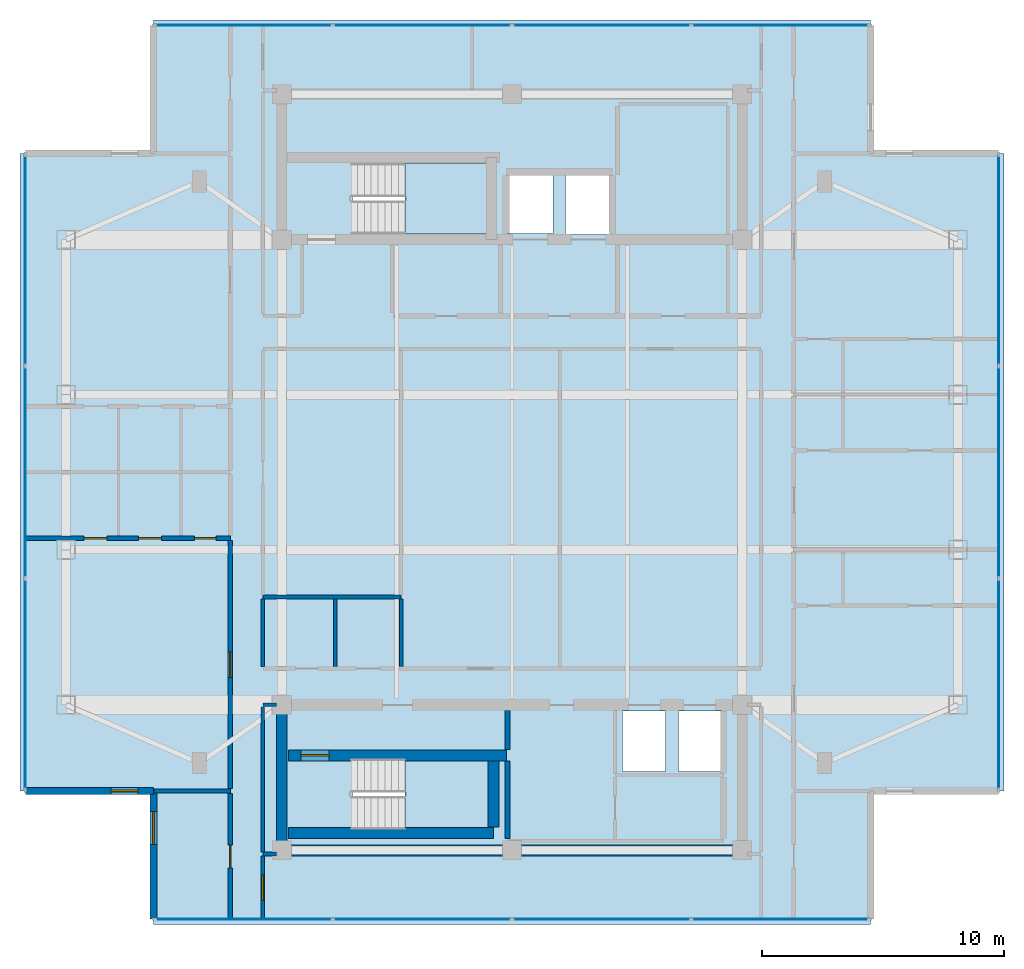
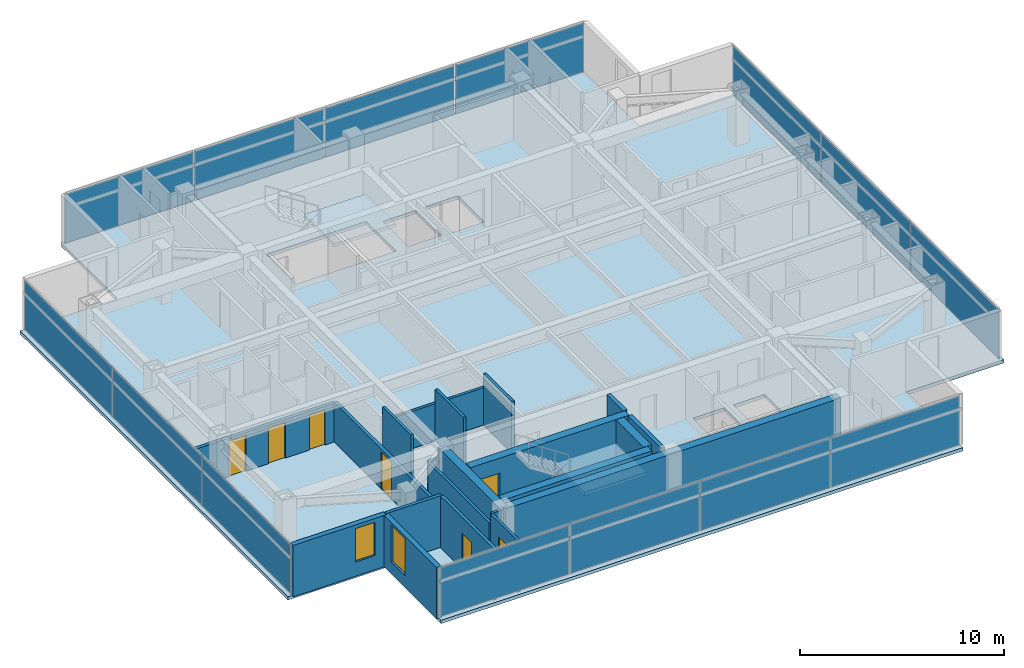
# One storey, part 6 of 12: 21 walls, 14 plates, 7 doors, 3 slabs, 2 windows, 9 openings, 6 elements without a shape of their own.
"""IFC4 building model written with IfcOpenShell, lengths in metres."""

from ifc_helpers import new_model, si_unit, direction, frame, frame_2d, origin, origin_2d, place, context, subcontext, project, spatial, polyline, rectangle, outline, extrude, material, layer, layer_set, type_object, element, fill, aggregate, save


model = new_model("IFC4")

# Units and contexts
model_context = context("Model", 3, precision=1e-05, world=origin(), true_north=direction((0.0, 1.0)))
body_context = subcontext(model_context, "Body", "Model", "MODEL_VIEW")
ifc_project = project(units=[si_unit("LENGTHUNIT", "METRE"), si_unit("AREAUNIT", "SQUARE_METRE"), si_unit("VOLUMEUNIT", "CUBIC_METRE"), si_unit("PLANEANGLEUNIT", "RADIAN"), si_unit("MASSUNIT", "GRAM", prefix="KILO")], contexts=[model_context])

# Site, building, storey
site_placement = place(None, origin())
site = spatial("IfcSite", under=ifc_project, at=site_placement, CompositionType="ELEMENT")
building_placement = place(site_placement, origin())
building = spatial("IfcBuilding", under=site, at=building_placement, Name="Mirazonda Arch Towers", CompositionType="ELEMENT")
storey_placement = place(building_placement, frame((0.0, 0.0, 219.39990234375)))
storey = spatial("IfcBuildingStorey", under=building, at=storey_placement, Name="L62", CompositionType="ELEMENT", Elevation=219.39990234375)

# Curtain wall, plates
ifc_material_1 = material(Name="Anodised Aluminium and Low-E Glass", Category="aluminium")
curtain_wall_type = type_object("IfcCurtainWallType", Name="CW-RES-UNIT", PredefinedType="NOTDEFINED", material=ifc_material_1)
curtain_wall_1_placement = place(storey_placement, origin())
curtain_wall_1 = element("IfcCurtainWall", 1, at=curtain_wall_1_placement, inside=storey, type_object=curtain_wall_type, Name="L62 T1 S Facade CW-L62-T1-S", PredefinedType="NOTDEFINED")
ifc_material_2 = material(Name="Insulated Low-E Solar Glass", Category="glass")
ifc_layer_1 = layer(ifc_material_2, 0.0400390625, Name="PAN-CW-RES-UNIT")
ifc_layer_set_1 = layer_set([ifc_layer_1], Name="Insulated Low-E Solar Glass")
plate_type = type_object("IfcPlateType", Name="PAN-CW-RES-UNIT", PredefinedType="CURTAIN_PANEL", material=ifc_layer_set_1)
plate_1_placement = place(storey_placement, frame((31.57373046875, 9.56005859375, 0.0751953125), z_axis=(0.0, 0.0, 1.0), x_axis=(-1.0, 0.0, 0.0)))
plate_1 = element("IfcPlate", 2, at=plate_1_placement, type_object=plate_type, Name="CW-104 panel 1.1", PredefinedType="CURTAIN_PANEL", context=body_context, shape_type="SweptSolid", body=[
    extrude(rectangle(XDim=7.282470703125, YDim=0.0400390625, at=origin_2d()), origin(), (0.0, 0.0, 1.0), 2.929931640625),
])
plate_2_placement = place(storey_placement, frame((24.197509765625, 9.56005859375, 0.0751953125), z_axis=(0.0, 0.0, 1.0), x_axis=(-1.0, 0.0, 0.0)))
plate_2 = element("IfcPlate", 3, at=plate_2_placement, type_object=plate_type, Name="CW-104 panel 2.1", PredefinedType="CURTAIN_PANEL", context=body_context, shape_type="SweptSolid", body=[
    extrude(rectangle(XDim=7.320068359375, YDim=0.0400390625, at=origin_2d()), origin(), (0.0, 0.0, 1.0), 2.929931640625),
])
plate_3_placement = place(storey_placement, frame((16.802490234375, 9.56005859375, 0.0751953125), z_axis=(0.0, 0.0, 1.0), x_axis=(-1.0, 0.0, 0.0)))
plate_3 = element("IfcPlate", 4, at=plate_3_placement, type_object=plate_type, Name="CW-104 panel 3.1", PredefinedType="CURTAIN_PANEL", context=body_context, shape_type="SweptSolid", body=[
    extrude(rectangle(XDim=7.320068359375, YDim=0.0400390625, at=origin_2d()), origin(), (0.0, 0.0, 1.0), 2.929931640625),
])
plate_4_placement = place(storey_placement, frame((9.42626953125, 9.56005859375, 0.0751953125), z_axis=(0.0, 0.0, 1.0), x_axis=(-1.0, 0.0, 0.0)))
plate_4 = element("IfcPlate", 5, at=plate_4_placement, type_object=plate_type, Name="CW-104 panel 4.1", PredefinedType="CURTAIN_PANEL", context=body_context, shape_type="SweptSolid", body=[
    extrude(rectangle(XDim=7.282470703125, YDim=0.0400390625, at=origin_2d()), origin(), (0.0, 0.0, 1.0), 2.929931640625),
])
aggregate(curtain_wall_1, [plate_1, plate_2, plate_3, plate_4])

curtain_wall_2_placement = place(storey_placement, origin())
curtain_wall_2 = element("IfcCurtainWall", 6, at=curtain_wall_2_placement, inside=storey, type_object=curtain_wall_type, Name="L62 T1 E Facade CW-L62-T1-E", PredefinedType="NOTDEFINED")
plate_5_placement = place(storey_placement, frame((40.580078125, 19.252197265625, 0.0751953125), z_axis=(0.0, 0.0, 1.0), x_axis=(0.0, 1.0, 0.0)))
plate_5 = element("IfcPlate", 7, at=plate_5_placement, type_object=plate_type, Name="CW-104 panel 1.1", PredefinedType="CURTAIN_PANEL", context=body_context, shape_type="SweptSolid", body=[
    extrude(rectangle(XDim=8.654052734375, YDim=0.0400390625, at=origin_2d()), origin(), (0.0, 0.0, 1.0), 2.929931640625),
])
plate_6_placement = place(storey_placement, frame((40.580078125, 28.0, 0.0751953125), z_axis=(0.0, 0.0, 1.0), x_axis=(0.0, 1.0, 0.0)))
plate_6 = element("IfcPlate", 8, at=plate_6_placement, type_object=plate_type, Name="CW-104 panel 2.1", PredefinedType="CURTAIN_PANEL", context=body_context, shape_type="SweptSolid", body=[
    extrude(rectangle(XDim=8.691650390625, YDim=0.0400390625, at=origin_2d()), origin(), (0.0, 0.0, 1.0), 2.929931640625),
])
plate_7_placement = place(storey_placement, frame((40.580078125, 36.747802734375, 0.0751953125), z_axis=(0.0, 0.0, 1.0), x_axis=(0.0, 1.0, 0.0)))
plate_7 = element("IfcPlate", 9, at=plate_7_placement, type_object=plate_type, Name="CW-104 panel 3.1", PredefinedType="CURTAIN_PANEL", context=body_context, shape_type="SweptSolid", body=[
    extrude(rectangle(XDim=8.654052734375, YDim=0.0400390625, at=origin_2d()), origin(), (0.0, 0.0, 1.0), 2.929931640625),
])
aggregate(curtain_wall_2, [plate_5, plate_6, plate_7])

curtain_wall_3_placement = place(storey_placement, origin())
curtain_wall_3 = element("IfcCurtainWall", 10, at=curtain_wall_3_placement, inside=storey, type_object=curtain_wall_type, Name="L62 T1 N Facade CW-L62-T1-N", PredefinedType="NOTDEFINED")
plate_8_placement = place(storey_placement, frame((9.42626953125, 46.43994140625, 0.0751953125), z_axis=(0.0, 0.0, 1.0), x_axis=(1.0, 0.0, 0.0)))
plate_8 = element("IfcPlate", 11, at=plate_8_placement, type_object=plate_type, Name="CW-104 panel 1.1", PredefinedType="CURTAIN_PANEL", context=body_context, shape_type="SweptSolid", body=[
    extrude(rectangle(XDim=7.282470703125, YDim=0.0400390625, at=origin_2d()), origin(), (0.0, 0.0, 1.0), 2.929931640625),
])
plate_9_placement = place(storey_placement, frame((16.802490234375, 46.43994140625, 0.0751953125), z_axis=(0.0, 0.0, 1.0), x_axis=(1.0, 0.0, 0.0)))
plate_9 = element("IfcPlate", 12, at=plate_9_placement, type_object=plate_type, Name="CW-104 panel 2.1", PredefinedType="CURTAIN_PANEL", context=body_context, shape_type="SweptSolid", body=[
    extrude(rectangle(XDim=7.320068359375, YDim=0.0400390625, at=origin_2d()), origin(), (0.0, 0.0, 1.0), 2.929931640625),
])
plate_10_placement = place(storey_placement, frame((24.197509765625, 46.43994140625, 0.0751953125), z_axis=(0.0, 0.0, 1.0), x_axis=(1.0, 0.0, 0.0)))
plate_10 = element("IfcPlate", 13, at=plate_10_placement, type_object=plate_type, Name="CW-104 panel 3.1", PredefinedType="CURTAIN_PANEL", context=body_context, shape_type="SweptSolid", body=[
    extrude(rectangle(XDim=7.320068359375, YDim=0.0400390625, at=origin_2d()), origin(), (0.0, 0.0, 1.0), 2.929931640625),
])
plate_11_placement = place(storey_placement, frame((31.57373046875, 46.43994140625, 0.0751953125), z_axis=(0.0, 0.0, 1.0), x_axis=(1.0, 0.0, 0.0)))
plate_11 = element("IfcPlate", 14, at=plate_11_placement, type_object=plate_type, Name="CW-104 panel 4.1", PredefinedType="CURTAIN_PANEL", context=body_context, shape_type="SweptSolid", body=[
    extrude(rectangle(XDim=7.282470703125, YDim=0.0400390625, at=origin_2d()), origin(), (0.0, 0.0, 1.0), 2.929931640625),
])
aggregate(curtain_wall_3, [plate_8, plate_9, plate_10, plate_11])

curtain_wall_4_placement = place(storey_placement, origin())
curtain_wall_4 = element("IfcCurtainWall", 15, at=curtain_wall_4_placement, inside=storey, type_object=curtain_wall_type, Name="L62 T1 W Facade CW-L62-T1-W", PredefinedType="NOTDEFINED")
plate_12_placement = place(storey_placement, frame((0.419921875, 36.747802734375, 0.0751953125), z_axis=(0.0, 0.0, 1.0), x_axis=(0.0, -1.0, 0.0)))
plate_12 = element("IfcPlate", 16, at=plate_12_placement, type_object=plate_type, Name="CW-104 panel 1.1", PredefinedType="CURTAIN_PANEL", context=body_context, shape_type="SweptSolid", body=[
    extrude(rectangle(XDim=8.654052734375, YDim=0.0400390625, at=origin_2d()), origin(), (0.0, 0.0, 1.0), 2.929931640625),
])
plate_13_placement = place(storey_placement, frame((0.419921875, 28.0, 0.0751953125), z_axis=(0.0, 0.0, 1.0), x_axis=(0.0, -1.0, 0.0)))
plate_13 = element("IfcPlate", 17, at=plate_13_placement, type_object=plate_type, Name="CW-104 panel 2.1", PredefinedType="CURTAIN_PANEL", context=body_context, shape_type="SweptSolid", body=[
    extrude(rectangle(XDim=8.691650390625, YDim=0.0400390625, at=origin_2d()), origin(), (0.0, 0.0, 1.0), 2.929931640625),
])
plate_14_placement = place(storey_placement, frame((0.419921875, 19.252197265625, 0.0751953125), z_axis=(0.0, 0.0, 1.0), x_axis=(0.0, -1.0, 0.0)))
plate_14 = element("IfcPlate", 18, at=plate_14_placement, type_object=plate_type, Name="CW-104 panel 3.1", PredefinedType="CURTAIN_PANEL", context=body_context, shape_type="SweptSolid", body=[
    extrude(rectangle(XDim=8.654052734375, YDim=0.0400390625, at=origin_2d()), origin(), (0.0, 0.0, 1.0), 2.929931640625),
])
aggregate(curtain_wall_4, [plate_12, plate_13, plate_14])

# Stair, slab
ifc_material_3 = material(Name="Concrete C40/50", Category="concrete")
stair_type = type_object("IfcStairType", Name="STAIR-CORE-1400", PredefinedType="HALF_TURN_STAIR", material=ifc_material_3)
stair_1_placement = place(storey_placement, origin())
stair_1 = element("IfcStair", 19, at=stair_1_placement, inside=storey, type_object=stair_type, Name="L62 Protected Exit Stair ST-T1N", PredefinedType="HALF_TURN_STAIR")
ifc_layer_2 = layer(ifc_material_3, 0.18994140625, Name="SLAB-LANDING-190")
ifc_layer_set_2 = layer_set([ifc_layer_2], Name="Concrete C40/50")
slab_type_1 = type_object("IfcSlabType", Name="SLAB-LANDING-190", PredefinedType="LANDING", material=ifc_layer_set_2)
slab_1_placement = place(storey_placement, frame((0.0, 0.0, 1.4501953125)))
slab_1 = element("IfcSlab", 20, at=slab_1_placement, type_object=slab_type_1, Name="ST-T1N landing 1", PredefinedType="LANDING", context=body_context, shape_type="SweptSolid", body=[
    extrude(outline(polyline([(16.090087890625, 37.820068359375), (19.60009765625, 37.820068359375), (19.60009765625, 40.760009765625), (16.090087890625, 40.760009765625), (16.090087890625, 37.820068359375)])), origin(), (0.0, 0.0, 1.0), 0.199951171875),
])
aggregate(stair_1, [slab_1])

stair_2_placement = place(storey_placement, origin())
stair_2 = element("IfcStair", 21, at=stair_2_placement, inside=storey, type_object=stair_type, Name="L62 Protected Exit Stair ST-T1S", PredefinedType="HALF_TURN_STAIR")
slab_2_placement = place(storey_placement, frame((0.0, 0.0, 1.4501953125)))
slab_2 = element("IfcSlab", 22, at=slab_2_placement, type_object=slab_type_1, Name="ST-T1S landing 1", PredefinedType="LANDING", context=body_context, shape_type="SweptSolid", body=[
    extrude(outline(polyline([(16.090087890625, 13.25), (19.60009765625, 13.25), (19.60009765625, 16.18994140625), (16.090087890625, 16.18994140625), (16.090087890625, 13.25)])), origin(), (0.0, 0.0, 1.0), 0.199951171875),
])
aggregate(stair_2, [slab_2])

# Slab
ifc_layer_3 = layer(ifc_material_3, 0.199951171875, Name="SLAB-TWR-200")
ifc_layer_set_3 = layer_set([ifc_layer_3], Name="Concrete C40/50")
slab_type_2 = type_object("IfcSlabType", Name="SLAB-TWR-200", PredefinedType="FLOOR", material=ifc_layer_set_3)
slab_3_placement = place(storey_placement, frame((0.0, 0.0, -0.199951171875)))
element("IfcSlab", 23, at=slab_3_placement, inside=storey, type_object=slab_type_2, Name="L62 Tower 1 Floor Slab", PredefinedType="FLOOR", context=body_context, shape_type="SweptSolid", body=[
    extrude(outline(polyline([(5.7099609375, 9.340087890625), (35.2900390625, 9.340087890625), (35.2900390625, 14.85009765625), (40.800048828125, 14.85009765625), (40.800048828125, 41.14990234375), (35.2900390625, 41.14990234375), (35.2900390625, 46.659912109375), (5.7099609375, 46.659912109375), (5.7099609375, 41.14990234375), (0.199951171875, 41.14990234375), (0.199951171875, 14.85009765625), (5.7099609375, 14.85009765625), (5.7099609375, 9.340087890625)]), holes=[polyline([(27.360107421875, 18.139892578125), (29.139892578125, 18.139892578125), (29.139892578125, 15.659912109375), (27.360107421875, 15.659912109375), (27.360107421875, 18.139892578125)]), polyline([(25.06005859375, 18.139892578125), (26.840087890625, 18.139892578125), (26.840087890625, 15.659912109375), (25.06005859375, 15.659912109375), (25.06005859375, 18.139892578125)]), polyline([(22.7099609375, 40.389892578125), (24.590087890625, 40.389892578125), (24.590087890625, 37.81005859375), (22.7099609375, 37.81005859375), (22.7099609375, 40.389892578125)]), polyline([(20.31005859375, 37.860107421875), (20.31005859375, 40.340087890625), (22.18994140625, 40.340087890625), (22.18994140625, 37.860107421875), (20.31005859375, 37.860107421875)]), polyline([(19.60009765625, 13.25), (13.925048828125, 13.25), (13.925048828125, 16.18994140625), (19.60009765625, 16.18994140625), (19.60009765625, 13.25)]), polyline([(13.925048828125, 37.820068359375), (13.925048828125, 40.760009765625), (19.60009765625, 40.760009765625), (19.60009765625, 37.820068359375), (13.925048828125, 37.820068359375)])]), origin(), (0.0, 0.0, 1.0), 0.199951171875),
])

# Walls
ifc_material_4 = material(Name="Concrete C50/60", Category="concrete")
ifc_layer_4 = layer(ifc_material_4, 0.449951171875, Name="WALL-CORE-450")
ifc_layer_set_4 = layer_set([ifc_layer_4], Name="Concrete C50/60")
wall_type_1 = type_object("IfcWallType", Name="WALL-CORE-450", PredefinedType="SHEAR", material=ifc_layer_set_4)
wall_1_placement = place(storey_placement, frame((11.0, 12.39990234375, 0.0), z_axis=(0.0, 0.0, 1.0), x_axis=(1.0, 0.0, 0.0)))
element("IfcWall", 24, at=wall_1_placement, inside=storey, type_object=wall_type_1, Name="L62 T1S-S Core Shear Wall", PredefinedType="SHEAR", context=body_context, shape_type="SweptSolid", body=[
    extrude(rectangle(XDim=19.0, YDim=0.449951171875, at=frame_2d((9.5, 0.0))), origin(), (0.0, 0.0, 1.0), 3.10009765625),
])
wall_2_placement = place(storey_placement, frame((11.0, 12.39990234375, 0.0), z_axis=(0.0, 0.0, 1.0), x_axis=(0.0, 1.0, 0.0)))
element("IfcWall", 25, at=wall_2_placement, inside=storey, type_object=wall_type_1, Name="L62 T1S-W Core Shear Wall", PredefinedType="SHEAR", context=body_context, shape_type="SweptSolid", body=[
    extrude(rectangle(XDim=6.0, YDim=0.449951171875, at=frame_2d((3.0, 0.0))), origin(), (0.0, 0.0, 1.0), 3.10009765625),
])
wall_3_placement = place(storey_placement, frame((11.27001953125, 13.1201171875, 0.0), z_axis=(0.0, 0.0, 1.0), x_axis=(1.0, 0.0, 0.0)))
element("IfcWall", 26, at=wall_3_placement, inside=storey, type_object=wall_type_1, Name="L62 Stair Core Shear Wall 004", PredefinedType="SHEAR", context=body_context, shape_type="SweptSolid", body=[
    extrude(rectangle(XDim=8.4599609375, YDim=0.449951171875, at=frame_2d((4.22998046875, 0.0))), origin(), (0.0, 0.0, 1.0), 3.10009765625),
])

# Wall, opening, door
wall_4_placement = place(storey_placement, frame((11.27001953125, 16.320068359375, 0.0), z_axis=(0.0, 0.0, 1.0), x_axis=(1.0, 0.0, 0.0)))
wall_4 = element("IfcWall", 27, at=wall_4_placement, inside=storey, type_object=wall_type_1, Name="L62 Stair Core Shear Wall 008", PredefinedType="SHEAR", context=body_context, shape_type="SweptSolid", body=[
    extrude(rectangle(XDim=9.010009765625, YDim=0.449951171875, at=frame_2d((4.5048828125, 0.0))), origin(), (0.0, 0.0, 1.0), 3.10009765625),
])
opening_1_placement = place(wall_4_placement, frame((0.52001953125, 0.0, 0.0)))
opening_1 = element("IfcOpeningElement", 28, at=opening_1_placement, cuts=wall_4, Name="Opening DR-135", PredefinedType="OPENING", context=body_context, shape_type="SweptSolid", body=[
    extrude(rectangle(XDim=1.14990234375, YDim=2.199951171875, at=frame_2d((0.574951171875, 1.10009765625))), frame((0.0, 0.23486328125, 0.0), z_axis=(0.0, -1.0, 0.0), x_axis=(1.0, 0.0, 0.0)), (0.0, 0.0, 1.0), 0.469970703125),
])
ifc_material_5 = material(Name="Architectural Brushed Steel S355", Category="steel")
door_type_1 = type_object("IfcDoorType", Name="DOOR-STAIR-FD90-1150", OperationType="NOTDEFINED", PredefinedType="DOOR", material=ifc_material_5)
door_1_placement = place(opening_1_placement, origin())
door_1 = element("IfcDoor", 29, at=door_1_placement, inside=storey, type_object=door_type_1, Name="L62 Protected Exit Stair South Door", OperationType="SINGLE_SWING_LEFT", OverallHeight=2.199951171875, OverallWidth=1.14990234375, PredefinedType="DOOR", context=body_context, shape_type="SweptSolid", body=[
    extrude(rectangle(XDim=1.14990234375, YDim=2.199951171875, at=frame_2d((0.574951171875, 1.10009765625))), frame((0.0, 0.02490234375, 0.0), z_axis=(0.0, -1.0, 0.0), x_axis=(1.0, 0.0, 0.0)), (0.0, 0.0, 1.0), 0.050048828125),
])
fill(opening_1, door_1)

# Wall
wall_5_placement = place(storey_placement, frame((19.72998046875, 13.35498046875, 0.0), z_axis=(0.0, 0.0, 1.0), x_axis=(0.0, 1.0, 0.0)))
element("IfcWall", 30, at=wall_5_placement, inside=storey, type_object=wall_type_1, Name="L62 Stair Core Shear Wall 052", PredefinedType="SHEAR", context=body_context, shape_type="SweptSolid", body=[
    extrude(rectangle(XDim=2.72998046875, YDim=0.449951171875, at=frame_2d((1.364990234375, 0.0))), origin(), (0.0, 0.0, 1.0), 3.10009765625),
])

# Wall, opening, window
ifc_material_6 = material(Name="Precast Concrete C40/50", Category="concrete")
ifc_layer_5 = layer(ifc_material_6, 0.280029296875, Name="WALL-EXT-WALL-280")
ifc_layer_set_5 = layer_set([ifc_layer_5], Name="Precast Concrete C40/50")
wall_type_2 = type_object("IfcWallType", Name="WALL-EXT-WALL-280", PredefinedType="SOLIDWALL", material=ifc_layer_set_5)
wall_6_placement = place(storey_placement, frame((5.7099609375, 14.85009765625, 0.0), z_axis=(0.0, 0.0, 1.0), x_axis=(0.0, -1.0, 0.0)))
wall_6 = element("IfcWall", 31, at=wall_6_placement, inside=storey, type_object=wall_type_2, Name="L62 T1 Notched SW Corner Wall WL-L62-T1-CSW", PredefinedType="SOLIDWALL", context=body_context, shape_type="SweptSolid", body=[
    extrude(rectangle(XDim=5.2900390625, YDim=0.280029296875, at=frame_2d((2.64501953125, 0.0))), origin(), (0.0, 0.0, 1.0), 3.080078125),
])
opening_2_placement = place(wall_6_placement, frame((0.85009765625, 0.0, 0.72998046875)))
opening_2 = element("IfcOpeningElement", 32, at=opening_2_placement, cuts=wall_6, Name="Opening WN-104", PredefinedType="OPENING", context=body_context, shape_type="SweptSolid", body=[
    extrude(rectangle(XDim=1.35009765625, YDim=2.199951171875, at=frame_2d((0.675048828125, 1.10009765625))), frame((0.0, 0.14990234375, 0.0), z_axis=(0.0, -1.0, 0.0), x_axis=(1.0, 0.0, 0.0)), (0.0, 0.0, 1.0), 0.300048828125),
])
window_type_1 = type_object("IfcWindowType", Name="WIN-RES-1350x2200", PartitioningType="SINGLE_PANEL", PredefinedType="WINDOW", material=ifc_material_2)
window_1_placement = place(opening_2_placement, origin())
window_1 = element("IfcWindow", 33, at=window_1_placement, inside=storey, type_object=window_type_1, Name="L62 Punched Facade Window WN-L62-T1-CSW", OverallHeight=2.199951171875, OverallWidth=1.35009765625, PartitioningType="SINGLE_PANEL", PredefinedType="WINDOW", context=body_context, shape_type="SweptSolid", body=[
    extrude(rectangle(XDim=1.35009765625, YDim=2.199951171875, at=frame_2d((0.675048828125, 1.10009765625))), frame((0.0, 0.030029296875, 0.0), z_axis=(0.0, -1.0, 0.0), x_axis=(1.0, 0.0, 0.0)), (0.0, 0.0, 1.0), 0.06005859375),
])
fill(opening_2, window_1)

wall_7_placement = place(storey_placement, frame((0.419921875, 14.85009765625, 0.0), z_axis=(0.0, 0.0, 1.0), x_axis=(1.0, 0.0, 0.0)))
wall_7 = element("IfcWall", 34, at=wall_7_placement, inside=storey, type_object=wall_type_2, Name="L62 T1 Corner Notch Return Wall WL-L62-T1-CSW2", PredefinedType="SOLIDWALL", context=body_context, shape_type="SweptSolid", body=[
    extrude(rectangle(XDim=5.2900390625, YDim=0.280029296875, at=frame_2d((2.64501953125, 0.0))), origin(), (0.0, 0.0, 1.0), 3.080078125),
])
opening_3_placement = place(wall_7_placement, frame((3.5400390625, 0.0, 0.85009765625)))
opening_3 = element("IfcOpeningElement", 35, at=opening_3_placement, cuts=wall_7, Name="Opening WN-108", PredefinedType="OPENING", context=body_context, shape_type="SweptSolid", body=[
    extrude(rectangle(XDim=1.10009765625, YDim=2.0, at=frame_2d((0.550048828125, 1.0))), frame((0.0, 0.14990234375, 0.0), z_axis=(0.0, -1.0, 0.0), x_axis=(1.0, 0.0, 0.0)), (0.0, 0.0, 1.0), 0.300048828125),
])
window_type_2 = type_object("IfcWindowType", Name="WIN-NOTCH-1100x2000", PartitioningType="SINGLE_PANEL", PredefinedType="WINDOW", material=ifc_material_2)
window_2_placement = place(opening_3_placement, origin())
window_2 = element("IfcWindow", 36, at=window_2_placement, inside=storey, type_object=window_type_2, Name="L62 Punched Facade Window WN-L62-T1-CSW2", OverallHeight=2.0, OverallWidth=1.10009765625, PartitioningType="SINGLE_PANEL", PredefinedType="WINDOW", context=body_context, shape_type="SweptSolid", body=[
    extrude(rectangle(XDim=1.10009765625, YDim=2.0, at=frame_2d((0.550048828125, 1.0))), frame((0.0, 0.030029296875, 0.0), z_axis=(0.0, -1.0, 0.0), x_axis=(1.0, 0.0, 0.0)), (0.0, 0.0, 1.0), 0.06005859375),
])
fill(opening_3, window_2)

# Walls
ifc_layer_6 = layer(ifc_material_3, 0.219970703125, Name="WALL-FFL-220")
ifc_layer_set_6 = layer_set([ifc_layer_6], Name="Concrete C40/50")
wall_type_3 = type_object("IfcWallType", Name="WALL-FFL-220", PredefinedType="SOLIDWALL", material=ifc_layer_set_6)
wall_8_placement = place(storey_placement, frame((20.31494140625, 12.885009765625, 0.0), z_axis=(0.0, 0.0, 1.0), x_axis=(0.0, 1.0, 0.0)))
element("IfcWall", 37, at=wall_8_placement, inside=storey, type_object=wall_type_3, Name="L62 Interior Partition 054", PredefinedType="SOLIDWALL", context=body_context, shape_type="SweptSolid", body=[
    extrude(rectangle(XDim=3.199951171875, YDim=0.219970703125, at=frame_2d((1.60009765625, 0.0))), origin(), (0.0, 0.0, 1.0), 3.10009765625),
])
wall_9_placement = place(storey_placement, frame((20.31494140625, 16.554931640625, 0.0), z_axis=(0.0, 0.0, 1.0), x_axis=(0.0, 1.0, 0.0)))
element("IfcWall", 38, at=wall_9_placement, inside=storey, type_object=wall_type_3, Name="L62 Interior Partition 055", PredefinedType="SOLIDWALL", context=body_context, shape_type="SweptSolid", body=[
    extrude(rectangle(XDim=1.625, YDim=0.219970703125, at=frame_2d((0.8125, 0.0))), origin(), (0.0, 0.0, 1.0), 3.10009765625),
])
ifc_material_7 = material(Name="Fire-Rated Gypsum Stud Partition")
ifc_layer_7 = layer(ifc_material_7, 0.14990234375, Name="WALL-PART-CORR-150")
ifc_layer_set_7 = layer_set([ifc_layer_7], Name="Fire-Rated Gypsum Stud Partition")
wall_type_4 = type_object("IfcWallType", Name="WALL-PART-CORR-150", PredefinedType="PARTITIONING", material=ifc_layer_set_7)
wall_10_placement = place(storey_placement, frame((10.219970703125, 12.25, 0.0), z_axis=(0.0, 0.0, 1.0), x_axis=(1.0, 0.0, 0.0)))
element("IfcWall", 39, at=wall_10_placement, inside=storey, type_object=wall_type_4, Name="L62 Interior Partition 001", PredefinedType="PARTITIONING", context=body_context, shape_type="SweptSolid", body=[
    extrude(rectangle(XDim=0.56005859375, YDim=0.14990234375, at=frame_2d((0.280029296875, 0.0))), origin(), (0.0, 0.0, 1.0), 3.10009765625),
])
wall_11_placement = place(storey_placement, frame((10.219970703125, 18.39990234375, 0.0), z_axis=(0.0, 0.0, 1.0), x_axis=(1.0, 0.0, 0.0)))
element("IfcWall", 40, at=wall_11_placement, inside=storey, type_object=wall_type_4, Name="L62 Interior Partition 009", PredefinedType="PARTITIONING", context=body_context, shape_type="SweptSolid", body=[
    extrude(rectangle(XDim=0.56005859375, YDim=0.14990234375, at=frame_2d((0.280029296875, 0.0))), origin(), (0.0, 0.0, 1.0), 2.4921875),
])
wall_12_placement = place(storey_placement, frame((10.219970703125, 22.85009765625, 0.0), z_axis=(0.0, 0.0, 1.0), x_axis=(1.0, 0.0, 0.0)))
element("IfcWall", 41, at=wall_12_placement, inside=storey, type_object=wall_type_4, Name="L62 Interior Partition 013", PredefinedType="PARTITIONING", context=body_context, shape_type="SweptSolid", body=[
    extrude(rectangle(XDim=5.7099609375, YDim=0.14990234375, at=frame_2d((2.85498046875, 0.0))), origin(), (0.0, 0.0, 1.0), 2.236083984375),
])

# Wall, opening, door
wall_13_placement = place(storey_placement, frame((10.219970703125, 9.56005859375, 0.0), z_axis=(0.0, 0.0, 1.0), x_axis=(0.0, 1.0, 0.0)))
wall_13 = element("IfcWall", 42, at=wall_13_placement, inside=storey, type_object=wall_type_4, Name="L62 Interior Partition 040", PredefinedType="PARTITIONING", context=body_context, shape_type="SweptSolid", body=[
    extrude(rectangle(XDim=2.60498046875, YDim=0.14990234375, at=frame_2d((1.302490234375, 0.0))), origin(), (0.0, 0.0, 1.0), 3.10009765625),
])
opening_4_placement = place(wall_13_placement, frame((0.777587890625, 0.0, 0.0)))
opening_4 = element("IfcOpeningElement", 43, at=opening_4_placement, cuts=wall_13, Name="Opening DR-121", PredefinedType="OPENING", context=body_context, shape_type="SweptSolid", body=[
    extrude(rectangle(XDim=1.050048828125, YDim=2.199951171875, at=frame_2d((0.52490234375, 1.10009765625))), frame((0.0, 0.0849609375, 0.0), z_axis=(0.0, -1.0, 0.0), x_axis=(1.0, 0.0, 0.0)), (0.0, 0.0, 1.0), 0.169921875),
])
door_type_2 = type_object("IfcDoorType", Name="DOOR-SUITE-FD60-1050", OperationType="NOTDEFINED", PredefinedType="DOOR", material=ifc_material_5)
door_2_placement = place(opening_4_placement, origin())
door_2 = element("IfcDoor", 44, at=door_2_placement, inside=storey, type_object=door_type_2, Name="L62 South Panoramic Study Gallery Door", OperationType="SINGLE_SWING_RIGHT", OverallHeight=2.199951171875, OverallWidth=1.050048828125, PredefinedType="DOOR", context=body_context, shape_type="SweptSolid", body=[
    extrude(rectangle(XDim=1.050048828125, YDim=2.199951171875, at=frame_2d((0.52490234375, 1.10009765625))), frame((0.0, 0.02490234375, 0.0), z_axis=(0.0, -1.0, 0.0), x_axis=(1.0, 0.0, 0.0)), (0.0, 0.0, 1.0), 0.050048828125),
])
fill(opening_4, door_2)

# Walls
wall_14_placement = place(storey_placement, frame((10.219970703125, 12.3349609375, 0.0), z_axis=(0.0, 0.0, 1.0), x_axis=(0.0, 1.0, 0.0)))
element("IfcWall", 45, at=wall_14_placement, inside=storey, type_object=wall_type_4, Name="L62 Interior Partition 041", PredefinedType="PARTITIONING", context=body_context, shape_type="SweptSolid", body=[
    extrude(rectangle(XDim=5.97998046875, YDim=0.14990234375, at=frame_2d((2.989990234375, 0.0))), origin(), (0.0, 0.0, 1.0), 2.4921875),
])
for number, where, z_axis, x_axis, name in (
    (46, (10.219970703125, 19.985107421875, 0.0), (0.0, 0.0, 1.0), (0.0, 1.0, 0.0), "L62 Interior Partition 042"),
    (47, (13.199951171875, 19.985107421875, 0.0), (0.0, 0.0, 1.0), (0.0, 1.0, 0.0), "L62 Interior Partition 047"),
    (48, (15.929931640625, 19.985107421875, 0.0), (0.0, 0.0, 1.0), (0.0, 1.0, 0.0), "L62 Interior Partition 049"),
):
    element("IfcWall", number, at=place(storey_placement, frame(where, z_axis=z_axis, x_axis=x_axis)), inside=storey, type_object=wall_type_4, Name=name, PredefinedType="PARTITIONING", context=body_context, shape_type="SweptSolid", body=[
        extrude(rectangle(XDim=2.77978515625, YDim=0.14990234375, at=frame_2d((1.389892578125, 0.0))), origin(), (0.0, 0.0, 1.0), 3.10009765625),
    ])
ifc_material_8 = material(Name="Fire-Rated Gypsum Twin-Stud Assembly")
ifc_layer_8 = layer(ifc_material_8, 0.179931640625, Name="WALL-PART-DEMISE-180")
ifc_layer_set_8 = layer_set([ifc_layer_8], Name="Fire-Rated Gypsum Twin-Stud Assembly")
wall_type_5 = type_object("IfcWallType", Name="WALL-PART-DEMISE-180", PredefinedType="PARTITIONING", material=ifc_layer_set_8)
wall_15_placement = place(storey_placement, frame((5.72998046875, 14.85009765625, 0.0), z_axis=(0.0, 0.0, 1.0), x_axis=(1.0, 0.0, 0.0)))
element("IfcWall", 49, at=wall_15_placement, inside=storey, type_object=wall_type_5, Name="L62 Interior Partition 005", PredefinedType="PARTITIONING", context=body_context, shape_type="SweptSolid", body=[
    extrude(rectangle(XDim=3.14990234375, YDim=0.179931640625, at=frame_2d((1.574951171875, 0.0))), origin(), (0.0, 0.0, 1.0), 3.10009765625),
])

# Wall, openings, doors
wall_16_placement = place(storey_placement, frame((0.419921875, 25.280029296875, 0.0), z_axis=(0.0, 0.0, 1.0), x_axis=(1.0, 0.0, 0.0)))
wall_16 = element("IfcWall", 50, at=wall_16_placement, inside=storey, type_object=wall_type_5, Name="L62 Interior Partition 015", PredefinedType="PARTITIONING", context=body_context, shape_type="SweptSolid", body=[
    extrude(rectangle(XDim=8.4599609375, YDim=0.179931640625, at=frame_2d((4.22998046875, 0.0))), origin(), (0.0, 0.0, 1.0), 2.319091796875),
])
opening_5_placement = place(wall_16_placement, frame((2.4208984375, 0.0, 0.0)))
opening_5 = element("IfcOpeningElement", 51, at=opening_5_placement, cuts=wall_16, Name="Opening DR-104", PredefinedType="OPENING", context=body_context, shape_type="SweptSolid", body=[
    extrude(rectangle(XDim=0.949951171875, YDim=2.14990234375, at=frame_2d((0.47509765625, 1.074951171875))), frame((0.0, 0.099853515625, 0.0), z_axis=(0.0, -1.0, 0.0), x_axis=(1.0, 0.0, 0.0)), (0.0, 0.0, 1.0), 0.199951171875),
])
opening_6_placement = place(wall_16_placement, frame((4.660888671875, 0.0, 0.0)))
opening_6 = element("IfcOpeningElement", 52, at=opening_6_placement, cuts=wall_16, Name="Opening DR-104", PredefinedType="OPENING", context=body_context, shape_type="SweptSolid", body=[
    extrude(rectangle(XDim=0.949951171875, YDim=2.14990234375, at=frame_2d((0.47509765625, 1.074951171875))), frame((0.0, 0.099853515625, 0.0), z_axis=(0.0, -1.0, 0.0), x_axis=(1.0, 0.0, 0.0)), (0.0, 0.0, 1.0), 0.199951171875),
])
opening_7_placement = place(wall_16_placement, frame((6.969970703125, 0.0, 0.0)))
opening_7 = element("IfcOpeningElement", 53, at=opening_7_placement, cuts=wall_16, Name="Opening DR-120", PredefinedType="OPENING", context=body_context, shape_type="SweptSolid", body=[
    extrude(rectangle(XDim=0.89990234375, YDim=2.10009765625, at=frame_2d((0.449951171875, 1.050048828125))), frame((0.0, 0.099853515625, 0.0), z_axis=(0.0, -1.0, 0.0), x_axis=(1.0, 0.0, 0.0)), (0.0, 0.0, 1.0), 0.199951171875),
])
door_type_3 = type_object("IfcDoorType", Name="DOOR-ROOM-950", OperationType="NOTDEFINED", PredefinedType="DOOR", material=ifc_material_5)
door_3_placement = place(opening_5_placement, origin())
door_3 = element("IfcDoor", 54, at=door_3_placement, inside=storey, type_object=door_type_3, Name="L62 Residence 1 Principal Bedroom Door", OperationType="SINGLE_SWING_RIGHT", OverallHeight=2.14990234375, OverallWidth=0.949951171875, PredefinedType="DOOR", context=body_context, shape_type="SweptSolid", body=[
    extrude(rectangle(XDim=0.949951171875, YDim=2.14990234375, at=frame_2d((0.47509765625, 1.074951171875))), frame((0.0, 0.02490234375, 0.0), z_axis=(0.0, -1.0, 0.0), x_axis=(1.0, 0.0, 0.0)), (0.0, 0.0, 1.0), 0.050048828125),
])
fill(opening_5, door_3)
door_4_placement = place(opening_6_placement, origin())
door_4 = element("IfcDoor", 55, at=door_4_placement, inside=storey, type_object=door_type_3, Name="L62 Residence 1 Fitted Kitchen Door", OperationType="SINGLE_SWING_LEFT", OverallHeight=2.14990234375, OverallWidth=0.949951171875, PredefinedType="DOOR", context=body_context, shape_type="SweptSolid", body=[
    extrude(rectangle(XDim=0.949951171875, YDim=2.14990234375, at=frame_2d((0.47509765625, 1.074951171875))), frame((0.0, 0.02490234375, 0.0), z_axis=(0.0, -1.0, 0.0), x_axis=(1.0, 0.0, 0.0)), (0.0, 0.0, 1.0), 0.050048828125),
])
fill(opening_6, door_4)
door_type_4 = type_object("IfcDoorType", Name="DOOR-WC-900", OperationType="NOTDEFINED", PredefinedType="DOOR", material=ifc_material_5)
door_5_placement = place(opening_7_placement, origin())
door_5 = element("IfcDoor", 56, at=door_5_placement, inside=storey, type_object=door_type_4, Name="L62 Residence 1 Bathroom Door", OperationType="SINGLE_SWING_RIGHT", OverallHeight=2.10009765625, OverallWidth=0.89990234375, PredefinedType="DOOR", context=body_context, shape_type="SweptSolid", body=[
    extrude(rectangle(XDim=0.89990234375, YDim=2.10009765625, at=frame_2d((0.449951171875, 1.050048828125))), frame((0.0, 0.02490234375, 0.0), z_axis=(0.0, -1.0, 0.0), x_axis=(1.0, 0.0, 0.0)), (0.0, 0.0, 1.0), 0.050048828125),
])
fill(opening_7, door_5)

# Wall, opening, door
wall_17_placement = place(storey_placement, frame((8.8798828125, 9.56005859375, 0.0), z_axis=(0.0, 0.0, 1.0), x_axis=(0.0, 1.0, 0.0)))
wall_17 = element("IfcWall", 57, at=wall_17_placement, inside=storey, type_object=wall_type_5, Name="L62 Interior Partition 034", PredefinedType="PARTITIONING", context=body_context, shape_type="SweptSolid", body=[
    extrude(rectangle(XDim=5.18994140625, YDim=0.179931640625, at=frame_2d((2.594970703125, 0.0))), origin(), (0.0, 0.0, 1.0), 3.10009765625),
])
opening_8_placement = place(wall_17_placement, frame((2.1201171875, 0.0, 0.0)))
opening_8 = element("IfcOpeningElement", 58, at=opening_8_placement, cuts=wall_17, Name="Opening DR-104", PredefinedType="OPENING", context=body_context, shape_type="SweptSolid", body=[
    extrude(rectangle(XDim=0.949951171875, YDim=2.14990234375, at=frame_2d((0.47509765625, 1.074951171875))), frame((0.0, 0.099853515625, 0.0), z_axis=(0.0, -1.0, 0.0), x_axis=(1.0, 0.0, 0.0)), (0.0, 0.0, 1.0), 0.199951171875),
])
door_6_placement = place(opening_8_placement, origin())
door_6 = element("IfcDoor", 59, at=door_6_placement, inside=storey, type_object=door_type_3, Name="L62 South Panoramic Study Alcove West Door", OperationType="SINGLE_SWING_LEFT", OverallHeight=2.14990234375, OverallWidth=0.949951171875, PredefinedType="DOOR", context=body_context, shape_type="SweptSolid", body=[
    extrude(rectangle(XDim=0.949951171875, YDim=2.14990234375, at=frame_2d((0.47509765625, 1.074951171875))), frame((0.0, 0.02490234375, 0.0), z_axis=(0.0, -1.0, 0.0), x_axis=(1.0, 0.0, 0.0)), (0.0, 0.0, 1.0), 0.050048828125),
])
fill(opening_8, door_6)

wall_18_placement = place(storey_placement, frame((8.8798828125, 14.949951171875, 0.0), z_axis=(0.0, 0.0, 1.0), x_axis=(0.0, 1.0, 0.0)))
wall_18 = element("IfcWall", 60, at=wall_18_placement, inside=storey, type_object=wall_type_5, Name="L62 Interior Partition 035", PredefinedType="PARTITIONING", context=body_context, shape_type="SweptSolid", body=[
    extrude(rectangle(XDim=10.22998046875, YDim=0.179931640625, at=frame_2d((5.114990234375, 0.0))), origin(), (0.0, 0.0, 1.0), 2.39599609375),
])
opening_9_placement = place(wall_18_placement, frame((4.590087890625, 0.0, 0.0)))
opening_9 = element("IfcOpeningElement", 61, at=opening_9_placement, cuts=wall_18, Name="Opening DR-121", PredefinedType="OPENING", context=body_context, shape_type="SweptSolid", body=[
    extrude(rectangle(XDim=1.050048828125, YDim=2.199951171875, at=frame_2d((0.52490234375, 1.10009765625))), frame((0.0, 0.099853515625, 0.0), z_axis=(0.0, -1.0, 0.0), x_axis=(1.0, 0.0, 0.0)), (0.0, 0.0, 1.0), 0.199951171875),
])
door_7_placement = place(opening_9_placement, origin())
door_7 = element("IfcDoor", 62, at=door_7_placement, inside=storey, type_object=door_type_2, Name="L62 Penthouse Residence 1 Living & Dining Salon Door", OperationType="SINGLE_SWING_LEFT", OverallHeight=2.199951171875, OverallWidth=1.050048828125, PredefinedType="DOOR", context=body_context, shape_type="SweptSolid", body=[
    extrude(rectangle(XDim=1.050048828125, YDim=2.199951171875, at=frame_2d((0.52490234375, 1.10009765625))), frame((0.0, 0.02490234375, 0.0), z_axis=(0.0, -1.0, 0.0), x_axis=(1.0, 0.0, 0.0)), (0.0, 0.0, 1.0), 0.050048828125),
])
fill(opening_9, door_7)

save(model, "model.ifc")
